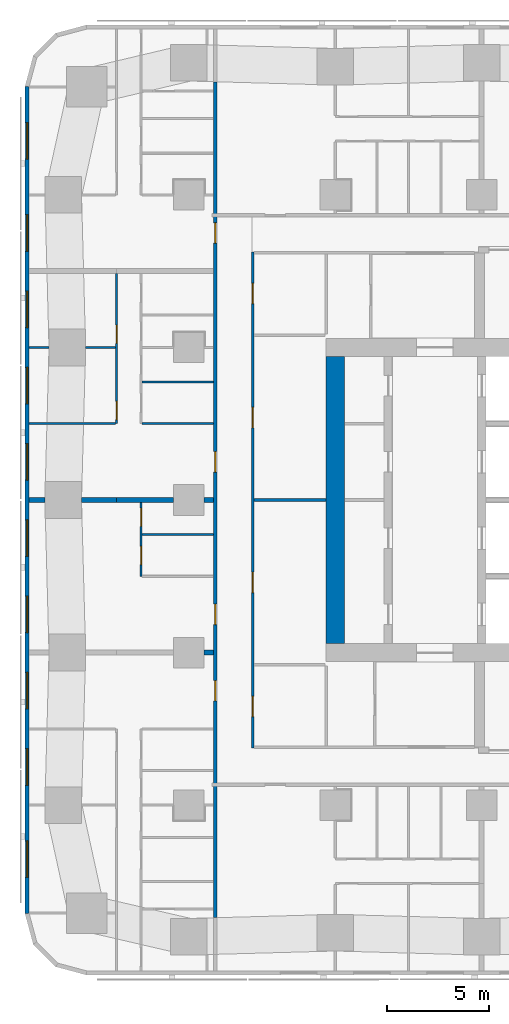
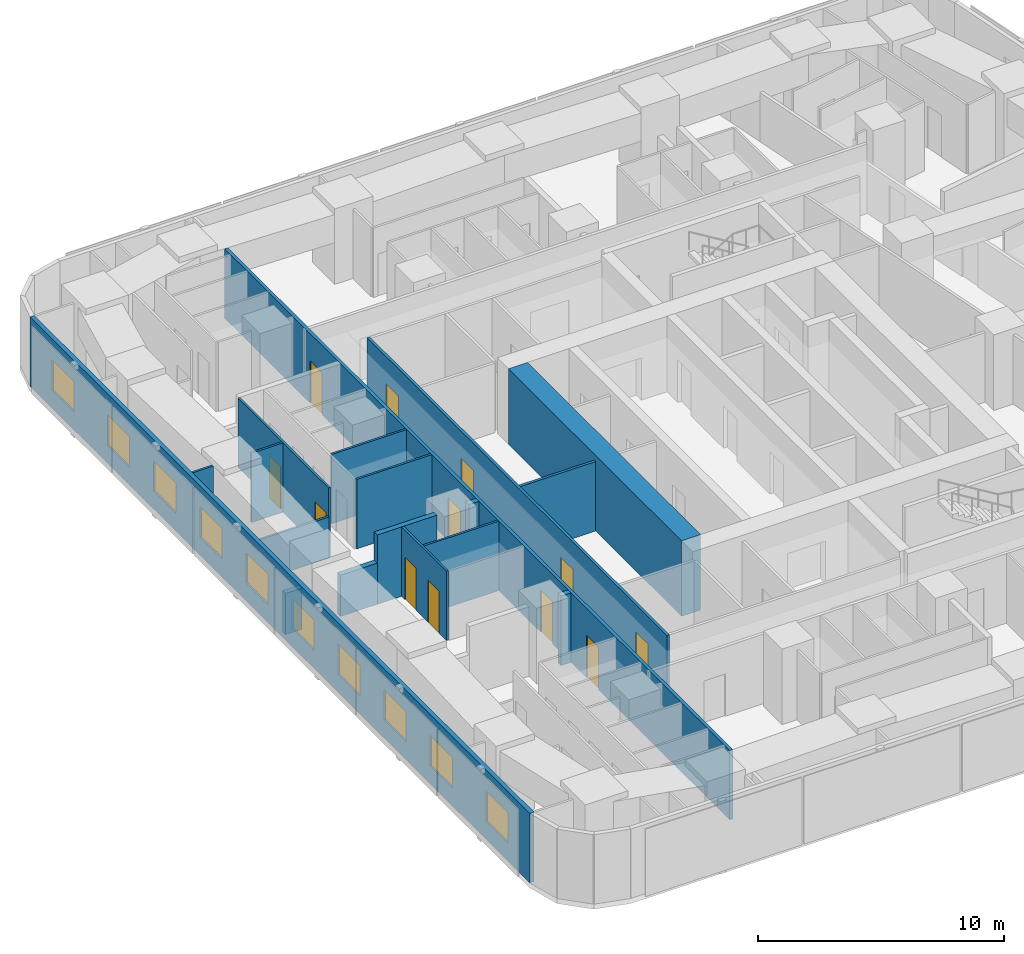
# One storey, part 4 of 15: 18 walls, 12 doors, 10 windows, 22 openings.
"""IFC4 building model written with IfcOpenShell, lengths in metres."""

from ifc_helpers import new_model, si_unit, direction, frame, frame_2d, origin, place, context, subcontext, project, spatial, rectangle, extrude, material, layer, layer_set, type_object, element, fill, save


model = new_model("IFC4")

# Units and contexts
model_context = context("Model", 3, precision=1e-05, world=origin(), true_north=direction((0.0, 1.0)))
body_context = subcontext(model_context, "Body", "Model", "MODEL_VIEW")
ifc_project = project(units=[si_unit("LENGTHUNIT", "METRE"), si_unit("AREAUNIT", "SQUARE_METRE"), si_unit("VOLUMEUNIT", "CUBIC_METRE"), si_unit("PLANEANGLEUNIT", "RADIAN"), si_unit("MASSUNIT", "GRAM", prefix="KILO")], contexts=[model_context])

# Site, building, storey
site_placement = place(None, origin())
site = spatial("IfcSite", under=ifc_project, at=site_placement, CompositionType="ELEMENT")
building_placement = place(site_placement, origin())
building = spatial("IfcBuilding", under=site, at=building_placement, Name="Sheger Commons Tower", CompositionType="ELEMENT")
storey_placement = place(building_placement, frame((0.0, 0.0, 184.550048828125)))
storey = spatial("IfcBuildingStorey", under=building, at=storey_placement, Name="L47", CompositionType="ELEMENT", Elevation=184.550048828125)

# Wall
ifc_material_1 = material(Name="Concrete C50/60", Category="concrete")
ifc_layer_1 = layer(ifc_material_1, 0.89990234375)
ifc_layer_set_1 = layer_set([ifc_layer_1], Name="CORE WALL 900")
wall_type_1 = type_object("IfcWallType", Name="CORE WALL 900", PredefinedType="SHEAR", material=ifc_layer_set_1)
wall_1_placement = place(storey_placement, frame((14.39990234375, 15.449951171875, 0.0), z_axis=(0.0, 0.0, 1.0), x_axis=(0.0, 1.0, 0.0)))
element("IfcWall", 1, at=wall_1_placement, inside=storey, type_object=wall_type_1, Name="Core wall west L47", PredefinedType="SHEAR", context=body_context, shape_type="SweptSolid", body=[
    extrude(rectangle(XDim=14.10009765625, YDim=0.89990234375, at=frame_2d((7.050048828125, 0.0))), origin(), (0.0, 0.0, 1.0), 3.75),
])

# Wall, openings, doors
ifc_material_2 = material(Name="Hollow concrete block masonry, skimmed both sides", Category="masonry")
ifc_layer_2 = layer(ifc_material_2, 0.14990234375)
ifc_layer_set_2 = layer_set([ifc_layer_2], Name="CORRIDOR WALL 150")
wall_type_2 = type_object("IfcWallType", Name="CORRIDOR WALL 150", PredefinedType="SOLIDWALL", material=ifc_layer_set_2)
wall_2_placement = place(storey_placement, frame((8.5, 1.964111328125, 0.0), z_axis=(0.0, 0.0, 1.0), x_axis=(0.0, 1.0, 0.0)))
wall_2 = element("IfcWall", 2, at=wall_2_placement, inside=storey, type_object=wall_type_2, Name="Corridor wall L47", PredefinedType="SOLIDWALL", context=body_context, shape_type="SweptSolid", body=[
    extrude(rectangle(XDim=41.096923828125, YDim=0.14990234375, at=frame_2d((20.54833984375, 0.0))), origin(), (0.0, 0.0, 1.0), 3.449951171875),
])
opening_1_placement = place(wall_2_placement, frame((10.660888671875, 0.0, 0.0)))
opening_1 = element("IfcOpeningElement", 3, at=opening_1_placement, cuts=wall_2, Name="Opening D1", PredefinedType="OPENING", context=body_context, shape_type="SweptSolid", body=[
    extrude(rectangle(XDim=1.0, YDim=2.10009765625, at=frame_2d((0.5, 1.050048828125))), frame((0.0, 0.0849609375, 0.0), z_axis=(0.0, -1.0, 0.0), x_axis=(1.0, 0.0, 0.0)), (0.0, 0.0, 1.0), 0.169921875),
])
opening_2_placement = place(wall_2_placement, frame((14.410888671875, 0.0, 0.0)))
opening_2 = element("IfcOpeningElement", 4, at=opening_2_placement, cuts=wall_2, Name="Opening D1", PredefinedType="OPENING", context=body_context, shape_type="SweptSolid", body=[
    extrude(rectangle(XDim=1.0, YDim=2.10009765625, at=frame_2d((0.5, 1.050048828125))), frame((0.0, 0.0849609375, 0.0), z_axis=(0.0, -1.0, 0.0), x_axis=(1.0, 0.0, 0.0)), (0.0, 0.0, 1.0), 0.169921875),
])
opening_3_placement = place(wall_2_placement, frame((21.910888671875, 0.0, 0.0)))
opening_3 = element("IfcOpeningElement", 5, at=opening_3_placement, cuts=wall_2, Name="Opening D1", PredefinedType="OPENING", context=body_context, shape_type="SweptSolid", body=[
    extrude(rectangle(XDim=1.0, YDim=2.10009765625, at=frame_2d((0.5, 1.050048828125))), frame((0.0, 0.0849609375, 0.0), z_axis=(0.0, -1.0, 0.0), x_axis=(1.0, 0.0, 0.0)), (0.0, 0.0, 1.0), 0.169921875),
])
opening_4_placement = place(wall_2_placement, frame((33.160888671875, 0.0, 0.0)))
opening_4 = element("IfcOpeningElement", 6, at=opening_4_placement, cuts=wall_2, Name="Opening D1", PredefinedType="OPENING", context=body_context, shape_type="SweptSolid", body=[
    extrude(rectangle(XDim=1.0, YDim=2.10009765625, at=frame_2d((0.5, 1.050048828125))), frame((0.0, 0.0849609375, 0.0), z_axis=(0.0, -1.0, 0.0), x_axis=(1.0, 0.0, 0.0)), (0.0, 0.0, 1.0), 0.169921875),
])
ifc_material_3 = material(Name="Steel door set, fire rated", Category="steel")
door_type_1 = type_object("IfcDoorType", Name="FLAT ENTRANCE DOOR 1000x2100", OperationType="NOTDEFINED", PredefinedType="DOOR", material=ifc_material_3)
door_1_placement = place(opening_1_placement, origin())
door_1 = element("IfcDoor", 7, at=door_1_placement, inside=storey, type_object=door_type_1, Name="Flat entrance door", OperationType="SINGLE_SWING_RIGHT", OverallHeight=2.10009765625, OverallWidth=1.0, PredefinedType="DOOR", context=body_context, shape_type="SweptSolid", body=[
    extrude(rectangle(XDim=1.0, YDim=2.10009765625, at=frame_2d((0.5, 1.050048828125))), frame((0.0, 0.02490234375, 0.0), z_axis=(0.0, -1.0, 0.0), x_axis=(1.0, 0.0, 0.0)), (0.0, 0.0, 1.0), 0.050048828125),
])
fill(opening_1, door_1)
door_2_placement = place(opening_2_placement, origin())
door_2 = element("IfcDoor", 8, at=door_2_placement, inside=storey, type_object=door_type_1, Name="Flat entrance door", OperationType="SINGLE_SWING_LEFT", OverallHeight=2.10009765625, OverallWidth=1.0, PredefinedType="DOOR", context=body_context, shape_type="SweptSolid", body=[
    extrude(rectangle(XDim=1.0, YDim=2.10009765625, at=frame_2d((0.5, 1.050048828125))), frame((0.0, 0.02490234375, 0.0), z_axis=(0.0, -1.0, 0.0), x_axis=(1.0, 0.0, 0.0)), (0.0, 0.0, 1.0), 0.050048828125),
])
fill(opening_2, door_2)
door_3_placement = place(opening_3_placement, origin())
door_3 = element("IfcDoor", 9, at=door_3_placement, inside=storey, type_object=door_type_1, Name="Flat entrance door", OperationType="SINGLE_SWING_RIGHT", OverallHeight=2.10009765625, OverallWidth=1.0, PredefinedType="DOOR", context=body_context, shape_type="SweptSolid", body=[
    extrude(rectangle(XDim=1.0, YDim=2.10009765625, at=frame_2d((0.5, 1.050048828125))), frame((0.0, 0.02490234375, 0.0), z_axis=(0.0, -1.0, 0.0), x_axis=(1.0, 0.0, 0.0)), (0.0, 0.0, 1.0), 0.050048828125),
])
fill(opening_3, door_3)
door_4_placement = place(opening_4_placement, origin())
door_4 = element("IfcDoor", 10, at=door_4_placement, inside=storey, type_object=door_type_1, Name="Flat entrance door", OperationType="SINGLE_SWING_LEFT", OverallHeight=2.10009765625, OverallWidth=1.0, PredefinedType="DOOR", context=body_context, shape_type="SweptSolid", body=[
    extrude(rectangle(XDim=1.0, YDim=2.10009765625, at=frame_2d((0.5, 1.050048828125))), frame((0.0, 0.02490234375, 0.0), z_axis=(0.0, -1.0, 0.0), x_axis=(1.0, 0.0, 0.0)), (0.0, 0.0, 1.0), 0.050048828125),
])
fill(opening_4, door_4)

# Walls
ifc_material_4 = material(Name="Dense concrete block masonry, plastered both sides (separating wall between flats)", Category="masonry")
ifc_layer_3 = layer(ifc_material_4, 0.25)
ifc_layer_set_3 = layer_set([ifc_layer_3], Name="DEMISING WALL 250")
wall_type_3 = type_object("IfcWallType", Name="DEMISING WALL 250", PredefinedType="SOLIDWALL", material=ifc_layer_set_3)
wall_3_placement = place(storey_placement, frame((7.950927734375, 15.0, 0.0), z_axis=(0.0, 0.0, 1.0), x_axis=(1.0, 0.0, 0.0)))
element("IfcWall", 11, at=wall_3_placement, inside=storey, type_object=wall_type_3, Name="Demising wall L47", PredefinedType="SOLIDWALL", context=body_context, shape_type="SweptSolid", body=[
    extrude(rectangle(XDim=0.47412109375, YDim=0.25, at=frame_2d((0.237060546875, 0.0))), origin(), (0.0, 0.0, 1.0), 3.449951171875),
])
wall_4_placement = place(storey_placement, frame((-0.64990234375, 22.5, 0.0), z_axis=(0.0, 0.0, 1.0), x_axis=(1.0, 0.0, 0.0)))
element("IfcWall", 12, at=wall_4_placement, inside=storey, type_object=wall_type_3, Name="Demising wall L47", PredefinedType="SOLIDWALL", context=body_context, shape_type="SweptSolid", body=[
    extrude(rectangle(XDim=0.77392578125, YDim=0.25, at=frame_2d((0.386962890625, 0.0))), origin(), (0.0, 0.0, 1.0), 2.050048828125),
])
wall_5_placement = place(storey_placement, frame((1.926025390625, 22.5, 0.0), z_axis=(0.0, 0.0, 1.0), x_axis=(1.0, 0.0, 0.0)))
element("IfcWall", 13, at=wall_5_placement, inside=storey, type_object=wall_type_3, Name="Demising wall L47", PredefinedType="SOLIDWALL", context=body_context, shape_type="SweptSolid", body=[
    extrude(rectangle(XDim=1.723876953125, YDim=0.25, at=frame_2d((0.86181640625, 0.0))), origin(), (0.0, 0.0, 1.0), 2.050048828125),
])
wall_6_placement = place(storey_placement, frame((3.64990234375, 22.5, 0.0), z_axis=(0.0, 0.0, 1.0), x_axis=(1.0, 0.0, 0.0)))
element("IfcWall", 14, at=wall_6_placement, inside=storey, type_object=wall_type_3, Name="Demising wall L47", PredefinedType="SOLIDWALL", context=body_context, shape_type="SweptSolid", body=[
    extrude(rectangle(XDim=2.799072265625, YDim=0.25, at=frame_2d((1.3994140625, 0.0))), origin(), (0.0, 0.0, 1.0), 3.449951171875),
])
wall_7_placement = place(storey_placement, frame((7.950927734375, 22.5, 0.0), z_axis=(0.0, 0.0, 1.0), x_axis=(1.0, 0.0, 0.0)))
element("IfcWall", 15, at=wall_7_placement, inside=storey, type_object=wall_type_3, Name="Demising wall L47", PredefinedType="SOLIDWALL", context=body_context, shape_type="SweptSolid", body=[
    extrude(rectangle(XDim=0.47412109375, YDim=0.25, at=frame_2d((0.237060546875, 0.0))), origin(), (0.0, 0.0, 1.0), 3.449951171875),
])

# Wall, openings, windows
ifc_material_5 = material(Name="Rendered concrete block masonry, dark grey", Category="masonry")
ifc_layer_4 = layer(ifc_material_5, 0.199951171875)
ifc_layer_set_4 = layer_set([ifc_layer_4], Name="FACADE WALL 200")
wall_type_4 = type_object("IfcWallType", Name="FACADE WALL 200", PredefinedType="SOLIDWALL", material=ifc_layer_set_4)
wall_8_placement = place(storey_placement, frame((-0.75, 42.8369140625, 0.0), z_axis=(0.0, 0.0, 1.0), x_axis=(0.0, -1.0, 0.0)))
wall_8 = element("IfcWall", 16, at=wall_8_placement, inside=storey, type_object=wall_type_4, Name="Facade wall L47", PredefinedType="SOLIDWALL", context=body_context, shape_type="SweptSolid", body=[
    extrude(rectangle(XDim=40.673828125, YDim=0.199951171875, at=frame_2d((20.3369140625, 0.0))), origin(), (0.0, 0.0, 1.0), 3.449951171875),
])
opening_5_placement = place(wall_8_placement, frame((1.780029296875, 0.0, 0.89990234375)))
opening_5 = element("IfcOpeningElement", 17, at=opening_5_placement, cuts=wall_8, Name="Opening W2", PredefinedType="OPENING", context=body_context, shape_type="SweptSolid", body=[
    extrude(rectangle(XDim=1.800048828125, YDim=1.5, at=frame_2d((0.89990234375, 0.75))), frame((0.0, 0.10986328125, 0.0), z_axis=(0.0, -1.0, 0.0), x_axis=(1.0, 0.0, 0.0)), (0.0, 0.0, 1.0), 0.219970703125),
])
opening_6_placement = place(wall_8_placement, frame((6.31201171875, 0.0, 0.89990234375)))
opening_6 = element("IfcOpeningElement", 18, at=opening_6_placement, cuts=wall_8, Name="Opening W2", PredefinedType="OPENING", context=body_context, shape_type="SweptSolid", body=[
    extrude(rectangle(XDim=1.800048828125, YDim=1.5, at=frame_2d((0.89990234375, 0.75))), frame((0.0, 0.10986328125, 0.0), z_axis=(0.0, -1.0, 0.0), x_axis=(1.0, 0.0, 0.0)), (0.0, 0.0, 1.0), 0.219970703125),
])
opening_7_placement = place(wall_8_placement, frame((10.06201171875, 0.0, 0.89990234375)))
opening_7 = element("IfcOpeningElement", 19, at=opening_7_placement, cuts=wall_8, Name="Opening W2", PredefinedType="OPENING", context=body_context, shape_type="SweptSolid", body=[
    extrude(rectangle(XDim=1.800048828125, YDim=1.5, at=frame_2d((0.89990234375, 0.75))), frame((0.0, 0.10986328125, 0.0), z_axis=(0.0, -1.0, 0.0), x_axis=(1.0, 0.0, 0.0)), (0.0, 0.0, 1.0), 0.219970703125),
])
opening_8_placement = place(wall_8_placement, frame((13.81201171875, 0.0, 0.89990234375)))
opening_8 = element("IfcOpeningElement", 20, at=opening_8_placement, cuts=wall_8, Name="Opening W2", PredefinedType="OPENING", context=body_context, shape_type="SweptSolid", body=[
    extrude(rectangle(XDim=1.800048828125, YDim=1.5, at=frame_2d((0.89990234375, 0.75))), frame((0.0, 0.10986328125, 0.0), z_axis=(0.0, -1.0, 0.0), x_axis=(1.0, 0.0, 0.0)), (0.0, 0.0, 1.0), 0.219970703125),
])
opening_9_placement = place(wall_8_placement, frame((17.56201171875, 0.0, 0.89990234375)))
opening_9 = element("IfcOpeningElement", 21, at=opening_9_placement, cuts=wall_8, Name="Opening W2", PredefinedType="OPENING", context=body_context, shape_type="SweptSolid", body=[
    extrude(rectangle(XDim=1.800048828125, YDim=1.5, at=frame_2d((0.89990234375, 0.75))), frame((0.0, 0.10986328125, 0.0), z_axis=(0.0, -1.0, 0.0), x_axis=(1.0, 0.0, 0.0)), (0.0, 0.0, 1.0), 0.219970703125),
])
opening_10_placement = place(wall_8_placement, frame((21.31201171875, 0.0, 0.89990234375)))
opening_10 = element("IfcOpeningElement", 22, at=opening_10_placement, cuts=wall_8, Name="Opening W2", PredefinedType="OPENING", context=body_context, shape_type="SweptSolid", body=[
    extrude(rectangle(XDim=1.800048828125, YDim=1.5, at=frame_2d((0.89990234375, 0.75))), frame((0.0, 0.10986328125, 0.0), z_axis=(0.0, -1.0, 0.0), x_axis=(1.0, 0.0, 0.0)), (0.0, 0.0, 1.0), 0.219970703125),
])
opening_11_placement = place(wall_8_placement, frame((25.06201171875, 0.0, 0.89990234375)))
opening_11 = element("IfcOpeningElement", 23, at=opening_11_placement, cuts=wall_8, Name="Opening W2", PredefinedType="OPENING", context=body_context, shape_type="SweptSolid", body=[
    extrude(rectangle(XDim=1.800048828125, YDim=1.5, at=frame_2d((0.89990234375, 0.75))), frame((0.0, 0.10986328125, 0.0), z_axis=(0.0, -1.0, 0.0), x_axis=(1.0, 0.0, 0.0)), (0.0, 0.0, 1.0), 0.219970703125),
])
opening_12_placement = place(wall_8_placement, frame((28.81201171875, 0.0, 0.89990234375)))
opening_12 = element("IfcOpeningElement", 24, at=opening_12_placement, cuts=wall_8, Name="Opening W2", PredefinedType="OPENING", context=body_context, shape_type="SweptSolid", body=[
    extrude(rectangle(XDim=1.800048828125, YDim=1.5, at=frame_2d((0.89990234375, 0.75))), frame((0.0, 0.10986328125, 0.0), z_axis=(0.0, -1.0, 0.0), x_axis=(1.0, 0.0, 0.0)), (0.0, 0.0, 1.0), 0.219970703125),
])
opening_13_placement = place(wall_8_placement, frame((32.56201171875, 0.0, 0.89990234375)))
opening_13 = element("IfcOpeningElement", 25, at=opening_13_placement, cuts=wall_8, Name="Opening W2", PredefinedType="OPENING", context=body_context, shape_type="SweptSolid", body=[
    extrude(rectangle(XDim=1.800048828125, YDim=1.5, at=frame_2d((0.89990234375, 0.75))), frame((0.0, 0.10986328125, 0.0), z_axis=(0.0, -1.0, 0.0), x_axis=(1.0, 0.0, 0.0)), (0.0, 0.0, 1.0), 0.219970703125),
])
opening_14_placement = place(wall_8_placement, frame((37.093994140625, 0.0, 0.89990234375)))
opening_14 = element("IfcOpeningElement", 26, at=opening_14_placement, cuts=wall_8, Name="Opening W2", PredefinedType="OPENING", context=body_context, shape_type="SweptSolid", body=[
    extrude(rectangle(XDim=1.800048828125, YDim=1.5, at=frame_2d((0.89990234375, 0.75))), frame((0.0, 0.10986328125, 0.0), z_axis=(0.0, -1.0, 0.0), x_axis=(1.0, 0.0, 0.0)), (0.0, 0.0, 1.0), 0.219970703125),
])
ifc_material_6 = material(Name="Black aluminium frame, dark tinted double glazing", Category="aluminium")
window_type = type_object("IfcWindowType", Name="WINDOW W2 1800x1500", PartitioningType="SINGLE_PANEL", PredefinedType="WINDOW", material=ifc_material_6)
window_1_placement = place(opening_5_placement, origin())
window_1 = element("IfcWindow", 27, at=window_1_placement, inside=storey, type_object=window_type, Name="Window W2 1800X1500", OverallHeight=1.5, OverallWidth=1.800048828125, PartitioningType="SINGLE_PANEL", PredefinedType="WINDOW", context=body_context, shape_type="SweptSolid", body=[
    extrude(rectangle(XDim=1.800048828125, YDim=1.5, at=frame_2d((0.89990234375, 0.75))), frame((0.0, 0.030029296875, 0.0), z_axis=(0.0, -1.0, 0.0), x_axis=(1.0, 0.0, 0.0)), (0.0, 0.0, 1.0), 0.06005859375),
])
fill(opening_5, window_1)
window_2_placement = place(opening_6_placement, origin())
window_2 = element("IfcWindow", 28, at=window_2_placement, inside=storey, type_object=window_type, Name="Window W2 1800X1500", OverallHeight=1.5, OverallWidth=1.800048828125, PartitioningType="SINGLE_PANEL", PredefinedType="WINDOW", context=body_context, shape_type="SweptSolid", body=[
    extrude(rectangle(XDim=1.800048828125, YDim=1.5, at=frame_2d((0.89990234375, 0.75))), frame((0.0, 0.030029296875, 0.0), z_axis=(0.0, -1.0, 0.0), x_axis=(1.0, 0.0, 0.0)), (0.0, 0.0, 1.0), 0.06005859375),
])
fill(opening_6, window_2)
window_3_placement = place(opening_7_placement, origin())
window_3 = element("IfcWindow", 29, at=window_3_placement, inside=storey, type_object=window_type, Name="Window W2 1800X1500", OverallHeight=1.5, OverallWidth=1.800048828125, PartitioningType="SINGLE_PANEL", PredefinedType="WINDOW", context=body_context, shape_type="SweptSolid", body=[
    extrude(rectangle(XDim=1.800048828125, YDim=1.5, at=frame_2d((0.89990234375, 0.75))), frame((0.0, 0.030029296875, 0.0), z_axis=(0.0, -1.0, 0.0), x_axis=(1.0, 0.0, 0.0)), (0.0, 0.0, 1.0), 0.06005859375),
])
fill(opening_7, window_3)
window_4_placement = place(opening_8_placement, origin())
window_4 = element("IfcWindow", 30, at=window_4_placement, inside=storey, type_object=window_type, Name="Window W2 1800X1500", OverallHeight=1.5, OverallWidth=1.800048828125, PartitioningType="SINGLE_PANEL", PredefinedType="WINDOW", context=body_context, shape_type="SweptSolid", body=[
    extrude(rectangle(XDim=1.800048828125, YDim=1.5, at=frame_2d((0.89990234375, 0.75))), frame((0.0, 0.030029296875, 0.0), z_axis=(0.0, -1.0, 0.0), x_axis=(1.0, 0.0, 0.0)), (0.0, 0.0, 1.0), 0.06005859375),
])
fill(opening_8, window_4)
window_5_placement = place(opening_9_placement, origin())
window_5 = element("IfcWindow", 31, at=window_5_placement, inside=storey, type_object=window_type, Name="Window W2 1800X1500", OverallHeight=1.5, OverallWidth=1.800048828125, PartitioningType="SINGLE_PANEL", PredefinedType="WINDOW", context=body_context, shape_type="SweptSolid", body=[
    extrude(rectangle(XDim=1.800048828125, YDim=1.5, at=frame_2d((0.89990234375, 0.75))), frame((0.0, 0.030029296875, 0.0), z_axis=(0.0, -1.0, 0.0), x_axis=(1.0, 0.0, 0.0)), (0.0, 0.0, 1.0), 0.06005859375),
])
fill(opening_9, window_5)
window_6_placement = place(opening_10_placement, origin())
window_6 = element("IfcWindow", 32, at=window_6_placement, inside=storey, type_object=window_type, Name="Window W2 1800X1500", OverallHeight=1.5, OverallWidth=1.800048828125, PartitioningType="SINGLE_PANEL", PredefinedType="WINDOW", context=body_context, shape_type="SweptSolid", body=[
    extrude(rectangle(XDim=1.800048828125, YDim=1.5, at=frame_2d((0.89990234375, 0.75))), frame((0.0, 0.030029296875, 0.0), z_axis=(0.0, -1.0, 0.0), x_axis=(1.0, 0.0, 0.0)), (0.0, 0.0, 1.0), 0.06005859375),
])
fill(opening_10, window_6)
window_7_placement = place(opening_11_placement, origin())
window_7 = element("IfcWindow", 33, at=window_7_placement, inside=storey, type_object=window_type, Name="Window W2 1800X1500", OverallHeight=1.5, OverallWidth=1.800048828125, PartitioningType="SINGLE_PANEL", PredefinedType="WINDOW", context=body_context, shape_type="SweptSolid", body=[
    extrude(rectangle(XDim=1.800048828125, YDim=1.5, at=frame_2d((0.89990234375, 0.75))), frame((0.0, 0.030029296875, 0.0), z_axis=(0.0, -1.0, 0.0), x_axis=(1.0, 0.0, 0.0)), (0.0, 0.0, 1.0), 0.06005859375),
])
fill(opening_11, window_7)
window_8_placement = place(opening_12_placement, origin())
window_8 = element("IfcWindow", 34, at=window_8_placement, inside=storey, type_object=window_type, Name="Window W2 1800X1500", OverallHeight=1.5, OverallWidth=1.800048828125, PartitioningType="SINGLE_PANEL", PredefinedType="WINDOW", context=body_context, shape_type="SweptSolid", body=[
    extrude(rectangle(XDim=1.800048828125, YDim=1.5, at=frame_2d((0.89990234375, 0.75))), frame((0.0, 0.030029296875, 0.0), z_axis=(0.0, -1.0, 0.0), x_axis=(1.0, 0.0, 0.0)), (0.0, 0.0, 1.0), 0.06005859375),
])
fill(opening_12, window_8)
window_9_placement = place(opening_13_placement, origin())
window_9 = element("IfcWindow", 35, at=window_9_placement, inside=storey, type_object=window_type, Name="Window W2 1800X1500", OverallHeight=1.5, OverallWidth=1.800048828125, PartitioningType="SINGLE_PANEL", PredefinedType="WINDOW", context=body_context, shape_type="SweptSolid", body=[
    extrude(rectangle(XDim=1.800048828125, YDim=1.5, at=frame_2d((0.89990234375, 0.75))), frame((0.0, 0.030029296875, 0.0), z_axis=(0.0, -1.0, 0.0), x_axis=(1.0, 0.0, 0.0)), (0.0, 0.0, 1.0), 0.06005859375),
])
fill(opening_13, window_9)
window_10_placement = place(opening_14_placement, origin())
window_10 = element("IfcWindow", 36, at=window_10_placement, inside=storey, type_object=window_type, Name="Window W2 1800X1500", OverallHeight=1.5, OverallWidth=1.800048828125, PartitioningType="SINGLE_PANEL", PredefinedType="WINDOW", context=body_context, shape_type="SweptSolid", body=[
    extrude(rectangle(XDim=1.800048828125, YDim=1.5, at=frame_2d((0.89990234375, 0.75))), frame((0.0, 0.030029296875, 0.0), z_axis=(0.0, -1.0, 0.0), x_axis=(1.0, 0.0, 0.0)), (0.0, 0.0, 1.0), 0.06005859375),
])
fill(opening_14, window_10)

# Wall, openings, doors
ifc_material_7 = material(Name="Gypsum board on steel studs", Category="steel")
ifc_layer_5 = layer(ifc_material_7, 0.10009765625)
ifc_layer_set_5 = layer_set([ifc_layer_5], Name="PARTITION 100")
wall_type_5 = type_object("IfcWallType", Name="PARTITION 100", PredefinedType="PARTITIONING", material=ifc_layer_set_5)
wall_9_placement = place(storey_placement, frame((4.85009765625, 18.75, 0.0), z_axis=(0.0, 0.0, 1.0), x_axis=(0.0, 1.0, 0.0)))
wall_9 = element("IfcWall", 37, at=wall_9_placement, inside=storey, type_object=wall_type_5, Name="Partition L47", PredefinedType="PARTITIONING", context=body_context, shape_type="SweptSolid", body=[
    extrude(rectangle(XDim=3.625, YDim=0.10009765625, at=frame_2d((1.8125, 0.0))), origin(), (0.0, 0.0, 1.0), 3.449951171875),
])
opening_15_placement = place(wall_9_placement, frame((0.574951171875, 0.0, 0.0)))
opening_15 = element("IfcOpeningElement", 38, at=opening_15_placement, cuts=wall_9, Name="Opening D2", PredefinedType="OPENING", context=body_context, shape_type="SweptSolid", body=[
    extrude(rectangle(XDim=0.89990234375, YDim=2.10009765625, at=frame_2d((0.449951171875, 1.050048828125))), frame((0.0, 0.06005859375, 0.0), z_axis=(0.0, -1.0, 0.0), x_axis=(1.0, 0.0, 0.0)), (0.0, 0.0, 1.0), 0.1201171875),
])
opening_16_placement = place(wall_9_placement, frame((2.449951171875, 0.0, 0.0)))
opening_16 = element("IfcOpeningElement", 39, at=opening_16_placement, cuts=wall_9, Name="Opening D2", PredefinedType="OPENING", context=body_context, shape_type="SweptSolid", body=[
    extrude(rectangle(XDim=0.89990234375, YDim=2.10009765625, at=frame_2d((0.449951171875, 1.050048828125))), frame((0.0, 0.06005859375, 0.0), z_axis=(0.0, -1.0, 0.0), x_axis=(1.0, 0.0, 0.0)), (0.0, 0.0, 1.0), 0.1201171875),
])
ifc_material_8 = material(Name="Timber door set", Category="wood")
door_type_2 = type_object("IfcDoorType", Name="INTERNAL DOOR 900x2100", OperationType="NOTDEFINED", PredefinedType="DOOR", material=ifc_material_8)
door_5_placement = place(opening_15_placement, origin())
door_5 = element("IfcDoor", 40, at=door_5_placement, inside=storey, type_object=door_type_2, Name="Bathroom door", OperationType="SINGLE_SWING_RIGHT", OverallHeight=2.10009765625, OverallWidth=0.89990234375, PredefinedType="DOOR", context=body_context, shape_type="SweptSolid", body=[
    extrude(rectangle(XDim=0.89990234375, YDim=2.10009765625, at=frame_2d((0.449951171875, 1.050048828125))), frame((0.0, 0.02490234375, 0.0), z_axis=(0.0, -1.0, 0.0), x_axis=(1.0, 0.0, 0.0)), (0.0, 0.0, 1.0), 0.050048828125),
])
fill(opening_15, door_5)
door_6_placement = place(opening_16_placement, origin())
door_6 = element("IfcDoor", 41, at=door_6_placement, inside=storey, type_object=door_type_2, Name="Store door", OperationType="SINGLE_SWING_LEFT", OverallHeight=2.10009765625, OverallWidth=0.89990234375, PredefinedType="DOOR", context=body_context, shape_type="SweptSolid", body=[
    extrude(rectangle(XDim=0.89990234375, YDim=2.10009765625, at=frame_2d((0.449951171875, 1.050048828125))), frame((0.0, 0.02490234375, 0.0), z_axis=(0.0, -1.0, 0.0), x_axis=(1.0, 0.0, 0.0)), (0.0, 0.0, 1.0), 0.050048828125),
])
fill(opening_16, door_6)

# Wall
wall_10_placement = place(storey_placement, frame((4.89990234375, 20.800048828125, 0.0), z_axis=(0.0, 0.0, 1.0), x_axis=(1.0, 0.0, 0.0)))
element("IfcWall", 42, at=wall_10_placement, inside=storey, type_object=wall_type_5, Name="Partition L47", PredefinedType="PARTITIONING", context=body_context, shape_type="SweptSolid", body=[
    extrude(rectangle(XDim=3.525146484375, YDim=0.10009765625, at=frame_2d((1.7626953125, 0.0))), origin(), (0.0, 0.0, 1.0), 3.449951171875),
])

# Wall, openings, doors
wall_11_placement = place(storey_placement, frame((3.64990234375, 26.25, 0.0), z_axis=(0.0, 0.0, 1.0), x_axis=(0.0, 1.0, 0.0)))
wall_11 = element("IfcWall", 43, at=wall_11_placement, inside=storey, type_object=wall_type_5, Name="Partition L47", PredefinedType="PARTITIONING", context=body_context, shape_type="SweptSolid", body=[
    extrude(rectangle(XDim=7.375, YDim=0.10009765625, at=frame_2d((3.6875, 0.0))), origin(), (0.0, 0.0, 1.0), 3.449951171875),
])
opening_17_placement = place(wall_11_placement, frame((0.199951171875, 0.0, 0.0)))
opening_17 = element("IfcOpeningElement", 44, at=opening_17_placement, cuts=wall_11, Name="Opening D2", PredefinedType="OPENING", context=body_context, shape_type="SweptSolid", body=[
    extrude(rectangle(XDim=0.89990234375, YDim=2.10009765625, at=frame_2d((0.449951171875, 1.050048828125))), frame((0.0, 0.06005859375, 0.0), z_axis=(0.0, -1.0, 0.0), x_axis=(1.0, 0.0, 0.0)), (0.0, 0.0, 1.0), 0.1201171875),
])
opening_18_placement = place(wall_11_placement, frame((3.949951171875, 0.0, 0.0)))
opening_18 = element("IfcOpeningElement", 45, at=opening_18_placement, cuts=wall_11, Name="Opening D2", PredefinedType="OPENING", context=body_context, shape_type="SweptSolid", body=[
    extrude(rectangle(XDim=0.89990234375, YDim=2.10009765625, at=frame_2d((0.449951171875, 1.050048828125))), frame((0.0, 0.06005859375, 0.0), z_axis=(0.0, -1.0, 0.0), x_axis=(1.0, 0.0, 0.0)), (0.0, 0.0, 1.0), 0.1201171875),
])
door_7_placement = place(opening_17_placement, origin())
door_7 = element("IfcDoor", 46, at=door_7_placement, inside=storey, type_object=door_type_2, Name="Main bedroom door", OperationType="SINGLE_SWING_LEFT", OverallHeight=2.10009765625, OverallWidth=0.89990234375, PredefinedType="DOOR", context=body_context, shape_type="SweptSolid", body=[
    extrude(rectangle(XDim=0.89990234375, YDim=2.10009765625, at=frame_2d((0.449951171875, 1.050048828125))), frame((0.0, 0.02490234375, 0.0), z_axis=(0.0, -1.0, 0.0), x_axis=(1.0, 0.0, 0.0)), (0.0, 0.0, 1.0), 0.050048828125),
])
fill(opening_17, door_7)
door_8_placement = place(opening_18_placement, origin())
door_8 = element("IfcDoor", 47, at=door_8_placement, inside=storey, type_object=door_type_2, Name="Bedroom 2 door", OperationType="SINGLE_SWING_LEFT", OverallHeight=2.10009765625, OverallWidth=0.89990234375, PredefinedType="DOOR", context=body_context, shape_type="SweptSolid", body=[
    extrude(rectangle(XDim=0.89990234375, YDim=2.10009765625, at=frame_2d((0.449951171875, 1.050048828125))), frame((0.0, 0.02490234375, 0.0), z_axis=(0.0, -1.0, 0.0), x_axis=(1.0, 0.0, 0.0)), (0.0, 0.0, 1.0), 0.050048828125),
])
fill(opening_18, door_8)

# Walls
wall_12_placement = place(storey_placement, frame((-0.64990234375, 26.25, 0.0), z_axis=(0.0, 0.0, 1.0), x_axis=(1.0, 0.0, 0.0)))
element("IfcWall", 48, at=wall_12_placement, inside=storey, type_object=wall_type_5, Name="Partition L47", PredefinedType="PARTITIONING", context=body_context, shape_type="SweptSolid", body=[
    extrude(rectangle(XDim=4.25, YDim=0.10009765625, at=frame_2d((2.125, 0.0))), origin(), (0.0, 0.0, 1.0), 2.050048828125),
])
wall_13_placement = place(storey_placement, frame((-0.64990234375, 30.0, 0.0), z_axis=(0.0, 0.0, 1.0), x_axis=(1.0, 0.0, 0.0)))
element("IfcWall", 49, at=wall_13_placement, inside=storey, type_object=wall_type_5, Name="Partition L47", PredefinedType="PARTITIONING", context=body_context, shape_type="SweptSolid", body=[
    extrude(rectangle(XDim=0.973876953125, YDim=0.10009765625, at=frame_2d((0.48681640625, 0.0))), origin(), (0.0, 0.0, 1.0), 3.449951171875),
])
wall_14_placement = place(storey_placement, frame((2.1259765625, 30.0, 0.0), z_axis=(0.0, 0.0, 1.0), x_axis=(1.0, 0.0, 0.0)))
element("IfcWall", 50, at=wall_14_placement, inside=storey, type_object=wall_type_5, Name="Partition L47", PredefinedType="PARTITIONING", context=body_context, shape_type="SweptSolid", body=[
    extrude(rectangle(XDim=1.47412109375, YDim=0.10009765625, at=frame_2d((0.737060546875, 0.0))), origin(), (0.0, 0.0, 1.0), 3.449951171875),
])
for number, where, z_axis, x_axis, name in (
    (51, (4.89990234375, 26.25, 0.0), (0.0, 0.0, 1.0), (1.0, 0.0, 0.0), "Partition L47"),
    (52, (4.89990234375, 28.300048828125, 0.0), (0.0, 0.0, 1.0), (1.0, 0.0, 0.0), "Partition L47"),
):
    element("IfcWall", number, at=place(storey_placement, frame(where, z_axis=z_axis, x_axis=x_axis)), inside=storey, type_object=wall_type_5, Name=name, PredefinedType="PARTITIONING", context=body_context, shape_type="SweptSolid", body=[
        extrude(rectangle(XDim=3.525146484375, YDim=0.10009765625, at=frame_2d((1.7626953125, 0.0))), origin(), (0.0, 0.0, 1.0), 3.449951171875),
    ])

# Wall, openings, doors
ifc_material_9 = material(Name="Gypsum board on steel studs, two layers each side, fire rated", Category="steel")
ifc_layer_6 = layer(ifc_material_9, 0.125)
ifc_layer_set_6 = layer_set([ifc_layer_6], Name="SERVICE WALL 125")
wall_type_6 = type_object("IfcWallType", Name="SERVICE WALL 125", PredefinedType="PARTITIONING", material=ifc_layer_set_6)
wall_15_placement = place(storey_placement, frame((10.35009765625, 10.300048828125, 0.0), z_axis=(0.0, 0.0, 1.0), x_axis=(0.0, 1.0, 0.0)))
wall_15 = element("IfcWall", 53, at=wall_15_placement, inside=storey, type_object=wall_type_6, Name="Service room wall L47", PredefinedType="PARTITIONING", context=body_context, shape_type="SweptSolid", body=[
    extrude(rectangle(XDim=24.39990234375, YDim=0.125, at=frame_2d((12.199951171875, 0.0))), origin(), (0.0, 0.0, 1.0), 3.449951171875),
])
opening_19_placement = place(wall_15_placement, frame((1.550048828125, 0.0, 0.0)))
opening_19 = element("IfcOpeningElement", 54, at=opening_19_placement, cuts=wall_15, Name="Opening D4", PredefinedType="OPENING", context=body_context, shape_type="SweptSolid", body=[
    extrude(rectangle(XDim=1.0, YDim=2.10009765625, at=frame_2d((0.5, 1.050048828125))), frame((0.0, 0.072509765625, 0.0), z_axis=(0.0, -1.0, 0.0), x_axis=(1.0, 0.0, 0.0)), (0.0, 0.0, 1.0), 0.14501953125),
])
opening_20_placement = place(wall_15_placement, frame((7.64990234375, 0.0, 0.0)))
opening_20 = element("IfcOpeningElement", 55, at=opening_20_placement, cuts=wall_15, Name="Opening D4", PredefinedType="OPENING", context=body_context, shape_type="SweptSolid", body=[
    extrude(rectangle(XDim=1.0, YDim=2.10009765625, at=frame_2d((0.5, 1.050048828125))), frame((0.0, 0.072509765625, 0.0), z_axis=(0.0, -1.0, 0.0), x_axis=(1.0, 0.0, 0.0)), (0.0, 0.0, 1.0), 0.14501953125),
])
opening_21_placement = place(wall_15_placement, frame((15.75, 0.0, 0.0)))
opening_21 = element("IfcOpeningElement", 56, at=opening_21_placement, cuts=wall_15, Name="Opening D4", PredefinedType="OPENING", context=body_context, shape_type="SweptSolid", body=[
    extrude(rectangle(XDim=1.0, YDim=2.10009765625, at=frame_2d((0.5, 1.050048828125))), frame((0.0, 0.072509765625, 0.0), z_axis=(0.0, -1.0, 0.0), x_axis=(1.0, 0.0, 0.0)), (0.0, 0.0, 1.0), 0.14501953125),
])
opening_22_placement = place(wall_15_placement, frame((21.85009765625, 0.0, 0.0)))
opening_22 = element("IfcOpeningElement", 57, at=opening_22_placement, cuts=wall_15, Name="Opening D4", PredefinedType="OPENING", context=body_context, shape_type="SweptSolid", body=[
    extrude(rectangle(XDim=1.0, YDim=2.10009765625, at=frame_2d((0.5, 1.050048828125))), frame((0.0, 0.072509765625, 0.0), z_axis=(0.0, -1.0, 0.0), x_axis=(1.0, 0.0, 0.0)), (0.0, 0.0, 1.0), 0.14501953125),
])
ifc_material_10 = material(Name="Steel door set, fire rated", Category="steel")
door_type_3 = type_object("IfcDoorType", Name="SERVICE DOOR 1000x2100", OperationType="NOTDEFINED", PredefinedType="DOOR", material=ifc_material_10)
door_9_placement = place(opening_19_placement, origin())
door_9 = element("IfcDoor", 58, at=door_9_placement, inside=storey, type_object=door_type_3, Name="Refuse chute room door", OperationType="SINGLE_SWING_RIGHT", OverallHeight=2.10009765625, OverallWidth=1.0, PredefinedType="DOOR", context=body_context, shape_type="SweptSolid", body=[
    extrude(rectangle(XDim=1.0, YDim=2.10009765625, at=frame_2d((0.5, 1.050048828125))), frame((0.0, 0.02490234375, 0.0), z_axis=(0.0, -1.0, 0.0), x_axis=(1.0, 0.0, 0.0)), (0.0, 0.0, 1.0), 0.050048828125),
])
fill(opening_19, door_9)
door_10_placement = place(opening_20_placement, origin())
door_10 = element("IfcDoor", 59, at=door_10_placement, inside=storey, type_object=door_type_3, Name="Laundry and drying room door", OperationType="SINGLE_SWING_RIGHT", OverallHeight=2.10009765625, OverallWidth=1.0, PredefinedType="DOOR", context=body_context, shape_type="SweptSolid", body=[
    extrude(rectangle(XDim=1.0, YDim=2.10009765625, at=frame_2d((0.5, 1.050048828125))), frame((0.0, 0.02490234375, 0.0), z_axis=(0.0, -1.0, 0.0), x_axis=(1.0, 0.0, 0.0)), (0.0, 0.0, 1.0), 0.050048828125),
])
fill(opening_20, door_10)
door_11_placement = place(opening_21_placement, origin())
door_11 = element("IfcDoor", 60, at=door_11_placement, inside=storey, type_object=door_type_3, Name="Residents' store door", OperationType="SINGLE_SWING_RIGHT", OverallHeight=2.10009765625, OverallWidth=1.0, PredefinedType="DOOR", context=body_context, shape_type="SweptSolid", body=[
    extrude(rectangle(XDim=1.0, YDim=2.10009765625, at=frame_2d((0.5, 1.050048828125))), frame((0.0, 0.02490234375, 0.0), z_axis=(0.0, -1.0, 0.0), x_axis=(1.0, 0.0, 0.0)), (0.0, 0.0, 1.0), 0.050048828125),
])
fill(opening_21, door_11)
door_12_placement = place(opening_22_placement, origin())
door_12 = element("IfcDoor", 61, at=door_12_placement, inside=storey, type_object=door_type_3, Name="Cleaner's store door", OperationType="SINGLE_SWING_LEFT", OverallHeight=2.10009765625, OverallWidth=1.0, PredefinedType="DOOR", context=body_context, shape_type="SweptSolid", body=[
    extrude(rectangle(XDim=1.0, YDim=2.10009765625, at=frame_2d((0.5, 1.050048828125))), frame((0.0, 0.02490234375, 0.0), z_axis=(0.0, -1.0, 0.0), x_axis=(1.0, 0.0, 0.0)), (0.0, 0.0, 1.0), 0.050048828125),
])
fill(opening_22, door_12)

# Wall
wall_16_placement = place(storey_placement, frame((10.4130859375, 22.5, 0.0), z_axis=(0.0, 0.0, 1.0), x_axis=(1.0, 0.0, 0.0)))
element("IfcWall", 62, at=wall_16_placement, inside=storey, type_object=wall_type_6, Name="Service room wall L47", PredefinedType="PARTITIONING", context=body_context, shape_type="SweptSolid", body=[
    extrude(rectangle(XDim=3.536865234375, YDim=0.125, at=frame_2d((1.7685546875, 0.0))), origin(), (0.0, 0.0, 1.0), 3.449951171875),
])

save(model, "model.ifc")
